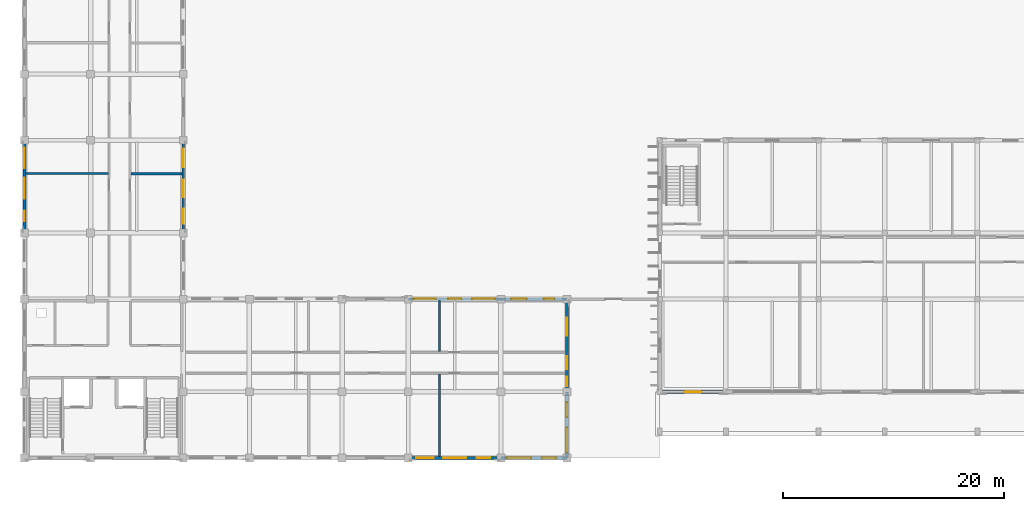
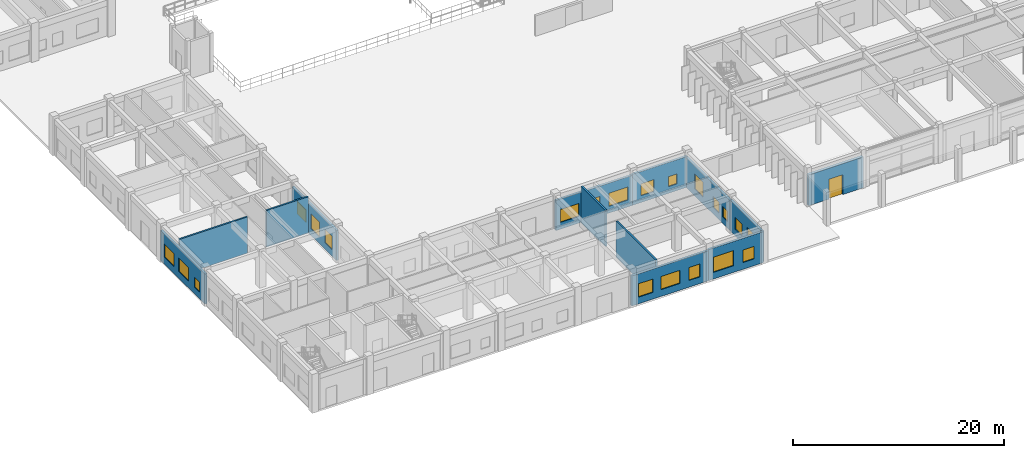
# One storey, part 28 of 67: 21 windows, 13 walls, 1 door, 22 openings.
"""IFC4 building model written with IfcOpenShell, lengths in metres."""

from ifc_helpers import new_model, si_unit, direction, frame, frame_2d, origin, place, context, subcontext, project, spatial, rectangle, extrude, material, layer, layer_set, type_object, element, fill, save


model = new_model("IFC4")

# Units and contexts
model_context = context("Model", 3, precision=1e-05, world=origin(), true_north=direction((0.0, 1.0)))
body_context = subcontext(model_context, "Body", "Model", "MODEL_VIEW")
ifc_project = project(units=[si_unit("LENGTHUNIT", "METRE"), si_unit("AREAUNIT", "SQUARE_METRE"), si_unit("VOLUMEUNIT", "CUBIC_METRE"), si_unit("PLANEANGLEUNIT", "RADIAN"), si_unit("MASSUNIT", "GRAM", prefix="KILO"), si_unit("THERMODYNAMICTEMPERATUREUNIT", "KELVIN")], contexts=[model_context])

# Site, building, storey
site_placement = place(None, origin())
site = spatial("IfcSite", under=ifc_project, at=site_placement, CompositionType="ELEMENT")
building_placement = place(site_placement, origin())
building = spatial("IfcBuilding", under=site, at=building_placement, Name="Thalorik Housing Commons", CompositionType="ELEMENT")
storey_placement = place(building_placement, origin())
storey = spatial("IfcBuildingStorey", under=building, at=storey_placement, Name="L00", CompositionType="ELEMENT", Elevation=0.0)

# Wall, openings, windows
ifc_material_1 = material(Name="White precast concrete C40/50", Category="concrete")
ifc_layer_1 = layer(ifc_material_1, 0.2451171875, Name="White precast concrete C40/50", Category="concrete")
ifc_layer_set_1 = layer_set([ifc_layer_1], Name="White precast concrete C40/50")
wall_type_1 = type_object("IfcWallType", Name="ARC-WAL-EXT-245", PredefinedType="STANDARD", material=ifc_layer_set_1)
wall_1_placement = place(storey_placement, frame((22.800048828125, 28.800048828125, 0.0), z_axis=(0.0, 0.0, 1.0), x_axis=(0.0, 1.0, 0.0)))
wall_1 = element("IfcWall", 1, at=wall_1_placement, inside=storey, type_object=wall_type_1, Name="L00 Exterior Wall WAL-EXT-L00-C-0822", PredefinedType="STANDARD", context=body_context, shape_type="SweptSolid", body=[
    extrude(rectangle(XDim=8.39990234375, YDim=0.2451171875, at=frame_2d((4.199951171875, 0.0))), origin(), (0.0, 0.0, 1.0), 3.485107421875),
])
opening_1_placement = place(wall_1_placement, frame((0.844970703125, 0.0, 0.780029296875)))
opening_1 = element("IfcOpeningElement", 2, at=opening_1_placement, cuts=wall_1, Name="Opening W-07", PredefinedType="OPENING", context=body_context, shape_type="SweptSolid", body=[
    extrude(rectangle(XDim=1.35009765625, YDim=1.550048828125, at=frame_2d((0.675048828125, 0.77490234375))), frame((0.0, 0.132568359375, 0.0), z_axis=(0.0, -1.0, 0.0), x_axis=(1.0, 0.0, 0.0)), (0.0, 0.0, 1.0), 0.26513671875),
])
opening_2_placement = place(wall_1_placement, frame((3.239990234375, 0.0, 0.780029296875)))
opening_2 = element("IfcOpeningElement", 3, at=opening_2_placement, cuts=wall_1, Name="Opening W-14", PredefinedType="OPENING", context=body_context, shape_type="SweptSolid", body=[
    extrude(rectangle(XDim=1.60009765625, YDim=1.75, at=frame_2d((0.800048828125, 0.875))), frame((0.0, 0.132568359375, 0.0), z_axis=(0.0, -1.0, 0.0), x_axis=(1.0, 0.0, 0.0)), (0.0, 0.0, 1.0), 0.26513671875),
])
opening_3_placement = place(wall_1_placement, frame((5.949951171875, 0.0, 0.780029296875)))
opening_3 = element("IfcOpeningElement", 4, at=opening_3_placement, cuts=wall_1, Name="Opening W-55", PredefinedType="OPENING", context=body_context, shape_type="SweptSolid", body=[
    extrude(rectangle(XDim=1.679931640625, YDim=1.4599609375, at=frame_2d((0.83984375, 0.72998046875))), frame((0.0, 0.132568359375, 0.0), z_axis=(0.0, -1.0, 0.0), x_axis=(1.0, 0.0, 0.0)), (0.0, 0.0, 1.0), 0.26513671875),
])
ifc_material_2 = material(Name="Anodised aluminium and solar-control low-E glass", Category="aluminium")
window_type_1 = type_object("IfcWindowType", Name="ARC-WIN-07", PartitioningType="SINGLE_PANEL", PredefinedType="WINDOW", material=ifc_material_2)
window_1_placement = place(opening_1_placement, origin())
window_1 = element("IfcWindow", 5, at=window_1_placement, inside=storey, type_object=window_type_1, Name="L00 Facade Window 1522", OverallHeight=1.550048828125, OverallWidth=1.35009765625, PartitioningType="SINGLE_PANEL", PredefinedType="WINDOW", context=body_context, shape_type="SweptSolid", body=[
    extrude(rectangle(XDim=1.35009765625, YDim=1.550048828125, at=frame_2d((0.675048828125, 0.77490234375))), frame((0.0, 0.030029296875, 0.0), z_axis=(0.0, -1.0, 0.0), x_axis=(1.0, 0.0, 0.0)), (0.0, 0.0, 1.0), 0.06005859375),
])
fill(opening_1, window_1)
window_type_2 = type_object("IfcWindowType", Name="ARC-WIN-14", PartitioningType="DOUBLE_PANEL_VERTICAL", PredefinedType="WINDOW", material=ifc_material_2)
window_2_placement = place(opening_2_placement, origin())
window_2 = element("IfcWindow", 6, at=window_2_placement, inside=storey, type_object=window_type_2, Name="L00 Facade Window 1523", OverallHeight=1.75, OverallWidth=1.60009765625, PartitioningType="DOUBLE_PANEL_VERTICAL", PredefinedType="WINDOW", context=body_context, shape_type="SweptSolid", body=[
    extrude(rectangle(XDim=1.60009765625, YDim=1.75, at=frame_2d((0.800048828125, 0.875))), frame((0.0, 0.030029296875, 0.0), z_axis=(0.0, -1.0, 0.0), x_axis=(1.0, 0.0, 0.0)), (0.0, 0.0, 1.0), 0.06005859375),
])
fill(opening_2, window_2)
window_type_3 = type_object("IfcWindowType", Name="ARC-WIN-55", PartitioningType="DOUBLE_PANEL_VERTICAL", PredefinedType="WINDOW", material=ifc_material_2)
window_3_placement = place(opening_3_placement, origin())
window_3 = element("IfcWindow", 7, at=window_3_placement, inside=storey, type_object=window_type_3, Name="L00 Facade Window 1524", OverallHeight=1.4599609375, OverallWidth=1.679931640625, PartitioningType="DOUBLE_PANEL_VERTICAL", PredefinedType="WINDOW", context=body_context, shape_type="SweptSolid", body=[
    extrude(rectangle(XDim=1.679931640625, YDim=1.4599609375, at=frame_2d((0.83984375, 0.72998046875))), frame((0.0, 0.030029296875, 0.0), z_axis=(0.0, -1.0, 0.0), x_axis=(1.0, 0.0, 0.0)), (0.0, 0.0, 1.0), 0.06005859375),
])
fill(opening_3, window_3)

wall_2_placement = place(storey_placement, frame((8.39990234375, 37.199951171875, 0.0), z_axis=(0.0, 0.0, 1.0), x_axis=(0.0, -1.0, 0.0)))
wall_2 = element("IfcWall", 8, at=wall_2_placement, inside=storey, type_object=wall_type_1, Name="L00 Exterior Wall WAL-EXT-L00-C-0831", PredefinedType="STANDARD", context=body_context, shape_type="SweptSolid", body=[
    extrude(rectangle(XDim=8.39990234375, YDim=0.2451171875, at=frame_2d((4.199951171875, 0.0))), origin(), (0.0, 0.0, 1.0), 3.485107421875),
])
opening_4_placement = place(wall_2_placement, frame((0.669921875, 0.0, 0.780029296875)))
opening_4 = element("IfcOpeningElement", 9, at=opening_4_placement, cuts=wall_2, Name="Opening W-59", PredefinedType="OPENING", context=body_context, shape_type="SweptSolid", body=[
    extrude(rectangle(XDim=1.8798828125, YDim=1.52001953125, at=frame_2d((0.93994140625, 0.760009765625))), frame((0.0, 0.132568359375, 0.0), z_axis=(0.0, -1.0, 0.0), x_axis=(1.0, 0.0, 0.0)), (0.0, 0.0, 1.0), 0.26513671875),
])
opening_5_placement = place(wall_2_placement, frame((3.409912109375, 0.0, 0.780029296875)))
opening_5 = element("IfcOpeningElement", 10, at=opening_5_placement, cuts=wall_2, Name="Opening W-21", PredefinedType="OPENING", context=body_context, shape_type="SweptSolid", body=[
    extrude(rectangle(XDim=1.89990234375, YDim=1.550048828125, at=frame_2d((0.949951171875, 0.77490234375))), frame((0.0, 0.132568359375, 0.0), z_axis=(0.0, -1.0, 0.0), x_axis=(1.0, 0.0, 0.0)), (0.0, 0.0, 1.0), 0.26513671875),
])
opening_6_placement = place(wall_2_placement, frame((6.405029296875, 0.0, 0.780029296875)))
opening_6 = element("IfcOpeningElement", 11, at=opening_6_placement, cuts=wall_2, Name="Opening W-43", PredefinedType="OPENING", context=body_context, shape_type="SweptSolid", body=[
    extrude(rectangle(XDim=0.949951171875, YDim=1.14990234375, at=frame_2d((0.47509765625, 0.574951171875))), frame((0.0, 0.132568359375, 0.0), z_axis=(0.0, -1.0, 0.0), x_axis=(1.0, 0.0, 0.0)), (0.0, 0.0, 1.0), 0.26513671875),
])
window_type_4 = type_object("IfcWindowType", Name="ARC-WIN-21", PartitioningType="DOUBLE_PANEL_VERTICAL", PredefinedType="WINDOW", material=ifc_material_2)
window_4_placement = place(opening_5_placement, origin())
window_4 = element("IfcWindow", 12, at=window_4_placement, inside=storey, type_object=window_type_4, Name="L00 Facade Window 1541", OverallHeight=1.550048828125, OverallWidth=1.89990234375, PartitioningType="DOUBLE_PANEL_VERTICAL", PredefinedType="WINDOW", context=body_context, shape_type="SweptSolid", body=[
    extrude(rectangle(XDim=1.89990234375, YDim=1.550048828125, at=frame_2d((0.949951171875, 0.77490234375))), frame((0.0, 0.030029296875, 0.0), z_axis=(0.0, -1.0, 0.0), x_axis=(1.0, 0.0, 0.0)), (0.0, 0.0, 1.0), 0.06005859375),
])
fill(opening_5, window_4)
window_type_5 = type_object("IfcWindowType", Name="ARC-WIN-43", PartitioningType="SINGLE_PANEL", PredefinedType="WINDOW", material=ifc_material_2)
window_5_placement = place(opening_6_placement, origin())
window_5 = element("IfcWindow", 13, at=window_5_placement, inside=storey, type_object=window_type_5, Name="L00 Facade Window 1542", OverallHeight=1.14990234375, OverallWidth=0.949951171875, PartitioningType="SINGLE_PANEL", PredefinedType="WINDOW", context=body_context, shape_type="SweptSolid", body=[
    extrude(rectangle(XDim=0.949951171875, YDim=1.14990234375, at=frame_2d((0.47509765625, 0.574951171875))), frame((0.0, 0.030029296875, 0.0), z_axis=(0.0, -1.0, 0.0), x_axis=(1.0, 0.0, 0.0)), (0.0, 0.0, 1.0), 0.06005859375),
])
fill(opening_6, window_5)
window_type_6 = type_object("IfcWindowType", Name="ARC-WIN-59", PartitioningType="DOUBLE_PANEL_VERTICAL", PredefinedType="WINDOW", material=ifc_material_2)
window_6_placement = place(opening_4_placement, origin())
window_6 = element("IfcWindow", 14, at=window_6_placement, inside=storey, type_object=window_type_6, Name="L00 Facade Window 1540", OverallHeight=1.52001953125, OverallWidth=1.8798828125, PartitioningType="DOUBLE_PANEL_VERTICAL", PredefinedType="WINDOW", context=body_context, shape_type="SweptSolid", body=[
    extrude(rectangle(XDim=1.8798828125, YDim=1.52001953125, at=frame_2d((0.93994140625, 0.760009765625))), frame((0.0, 0.030029296875, 0.0), z_axis=(0.0, -1.0, 0.0), x_axis=(1.0, 0.0, 0.0)), (0.0, 0.0, 1.0), 0.06005859375),
])
fill(opening_4, window_6)

wall_3_placement = place(storey_placement, frame((43.199951171875, 8.39990234375, 0.0), z_axis=(0.0, 0.0, 1.0), x_axis=(1.0, 0.0, 0.0)))
wall_3 = element("IfcWall", 15, at=wall_3_placement, inside=storey, type_object=wall_type_1, Name="L00 Exterior Wall WAL-EXT-L00-C-0840", PredefinedType="STANDARD", context=body_context, shape_type="SweptSolid", body=[
    extrude(rectangle(XDim=8.400146484375, YDim=0.2451171875, at=frame_2d((4.2001953125, 0.0))), origin(), (0.0, 0.0, 1.0), 3.485107421875),
])
opening_7_placement = place(wall_3_placement, frame((0.7099609375, 0.0, 0.780029296875)))
opening_7 = element("IfcOpeningElement", 16, at=opening_7_placement, cuts=wall_3, Name="Opening W-13", PredefinedType="OPENING", context=body_context, shape_type="SweptSolid", body=[
    extrude(rectangle(XDim=1.60009765625, YDim=1.550048828125, at=frame_2d((0.800048828125, 0.77490234375))), frame((0.0, 0.132568359375, 0.0), z_axis=(0.0, -1.0, 0.0), x_axis=(1.0, 0.0, 0.0)), (0.0, 0.0, 1.0), 0.26513671875),
])
opening_8_placement = place(wall_3_placement, frame((3.169921875, 0.0, 0.780029296875)))
opening_8 = element("IfcOpeningElement", 17, at=opening_8_placement, cuts=wall_3, Name="Opening W-63", PredefinedType="OPENING", context=body_context, shape_type="SweptSolid", body=[
    extrude(rectangle(XDim=2.080078125, YDim=1.52001953125, at=frame_2d((1.0400390625, 0.760009765625))), frame((0.0, 0.132568359375, 0.0), z_axis=(0.0, -1.0, 0.0), x_axis=(1.0, 0.0, 0.0)), (0.0, 0.0, 1.0), 0.26513671875),
])
opening_9_placement = place(wall_3_placement, frame((6.22998046875, 0.0, 0.780029296875)))
opening_9 = element("IfcOpeningElement", 18, at=opening_9_placement, cuts=wall_3, Name="Opening W-05", PredefinedType="OPENING", context=body_context, shape_type="SweptSolid", body=[
    extrude(rectangle(XDim=1.199951171875, YDim=1.5, at=frame_2d((0.60009765625, 0.75))), frame((0.0, 0.132568359375, 0.0), z_axis=(0.0, -1.0, 0.0), x_axis=(1.0, 0.0, 0.0)), (0.0, 0.0, 1.0), 0.26513671875),
])
window_type_7 = type_object("IfcWindowType", Name="ARC-WIN-05", PartitioningType="SINGLE_PANEL", PredefinedType="WINDOW", material=ifc_material_2)
window_7_placement = place(opening_9_placement, origin())
window_7 = element("IfcWindow", 19, at=window_7_placement, inside=storey, type_object=window_type_7, Name="L00 Facade Window 1556", OverallHeight=1.5, OverallWidth=1.199951171875, PartitioningType="SINGLE_PANEL", PredefinedType="WINDOW", context=body_context, shape_type="SweptSolid", body=[
    extrude(rectangle(XDim=1.199951171875, YDim=1.5, at=frame_2d((0.60009765625, 0.75))), frame((0.0, 0.030029296875, 0.0), z_axis=(0.0, -1.0, 0.0), x_axis=(1.0, 0.0, 0.0)), (0.0, 0.0, 1.0), 0.06005859375),
])
fill(opening_9, window_7)
window_type_8 = type_object("IfcWindowType", Name="ARC-WIN-13", PartitioningType="DOUBLE_PANEL_VERTICAL", PredefinedType="WINDOW", material=ifc_material_2)
window_8_placement = place(opening_7_placement, origin())
window_8 = element("IfcWindow", 20, at=window_8_placement, inside=storey, type_object=window_type_8, Name="L00 Facade Window 1554", OverallHeight=1.550048828125, OverallWidth=1.60009765625, PartitioningType="DOUBLE_PANEL_VERTICAL", PredefinedType="WINDOW", context=body_context, shape_type="SweptSolid", body=[
    extrude(rectangle(XDim=1.60009765625, YDim=1.550048828125, at=frame_2d((0.800048828125, 0.77490234375))), frame((0.0, 0.030029296875, 0.0), z_axis=(0.0, -1.0, 0.0), x_axis=(1.0, 0.0, 0.0)), (0.0, 0.0, 1.0), 0.06005859375),
])
fill(opening_7, window_8)
window_type_9 = type_object("IfcWindowType", Name="ARC-WIN-63", PartitioningType="DOUBLE_PANEL_VERTICAL", PredefinedType="WINDOW", material=ifc_material_2)
window_9_placement = place(opening_8_placement, origin())
window_9 = element("IfcWindow", 21, at=window_9_placement, inside=storey, type_object=window_type_9, Name="L00 Facade Window 1555", OverallHeight=1.52001953125, OverallWidth=2.080078125, PartitioningType="DOUBLE_PANEL_VERTICAL", PredefinedType="WINDOW", context=body_context, shape_type="SweptSolid", body=[
    extrude(rectangle(XDim=2.080078125, YDim=1.52001953125, at=frame_2d((1.0400390625, 0.760009765625))), frame((0.0, 0.030029296875, 0.0), z_axis=(0.0, -1.0, 0.0), x_axis=(1.0, 0.0, 0.0)), (0.0, 0.0, 1.0), 0.06005859375),
])
fill(opening_8, window_9)

wall_4_placement = place(storey_placement, frame((51.60009765625, 8.39990234375, 0.0), z_axis=(0.0, 0.0, 1.0), x_axis=(1.0, 0.0, 0.0)))
wall_4 = element("IfcWall", 22, at=wall_4_placement, inside=storey, type_object=wall_type_1, Name="L00 Exterior Wall WAL-EXT-L00-C-0841", PredefinedType="STANDARD", context=body_context, shape_type="SweptSolid", body=[
    extrude(rectangle(XDim=6.0, YDim=0.2451171875, at=frame_2d((3.0, 0.0))), origin(), (0.0, 0.0, 1.0), 3.5849609375),
])
opening_10_placement = place(wall_4_placement, frame((0.530029296875, 0.0, 0.780029296875)))
opening_10 = element("IfcOpeningElement", 23, at=opening_10_placement, cuts=wall_4, Name="Opening W-30", PredefinedType="OPENING", context=body_context, shape_type="SweptSolid", body=[
    extrude(rectangle(XDim=2.199951171875, YDim=1.75, at=frame_2d((1.10009765625, 0.875))), frame((0.0, 0.132568359375, 0.0), z_axis=(0.0, -1.0, 0.0), x_axis=(1.0, 0.0, 0.0)), (0.0, 0.0, 1.0), 0.26513671875),
])
opening_11_placement = place(wall_4_placement, frame((3.7451171875, 0.0, 0.780029296875)))
opening_11 = element("IfcOpeningElement", 24, at=opening_11_placement, cuts=wall_4, Name="Opening W-47", PredefinedType="OPENING", context=body_context, shape_type="SweptSolid", body=[
    extrude(rectangle(XDim=1.25, YDim=1.449951171875, at=frame_2d((0.625, 0.72509765625))), frame((0.0, 0.132568359375, 0.0), z_axis=(0.0, -1.0, 0.0), x_axis=(1.0, 0.0, 0.0)), (0.0, 0.0, 1.0), 0.26513671875),
])
window_type_10 = type_object("IfcWindowType", Name="ARC-WIN-30", PartitioningType="DOUBLE_PANEL_VERTICAL", PredefinedType="WINDOW", material=ifc_material_2)
window_10_placement = place(opening_10_placement, origin())
window_10 = element("IfcWindow", 25, at=window_10_placement, inside=storey, type_object=window_type_10, Name="L00 Facade Window 1557", OverallHeight=1.75, OverallWidth=2.199951171875, PartitioningType="DOUBLE_PANEL_VERTICAL", PredefinedType="WINDOW", context=body_context, shape_type="SweptSolid", body=[
    extrude(rectangle(XDim=2.199951171875, YDim=1.75, at=frame_2d((1.10009765625, 0.875))), frame((0.0, 0.030029296875, 0.0), z_axis=(0.0, -1.0, 0.0), x_axis=(1.0, 0.0, 0.0)), (0.0, 0.0, 1.0), 0.06005859375),
])
fill(opening_10, window_10)
window_type_11 = type_object("IfcWindowType", Name="ARC-WIN-47", PartitioningType="SINGLE_PANEL", PredefinedType="WINDOW", material=ifc_material_2)
window_11_placement = place(opening_11_placement, origin())
window_11 = element("IfcWindow", 26, at=window_11_placement, inside=storey, type_object=window_type_11, Name="L00 Facade Window 1558", OverallHeight=1.449951171875, OverallWidth=1.25, PartitioningType="SINGLE_PANEL", PredefinedType="WINDOW", context=body_context, shape_type="SweptSolid", body=[
    extrude(rectangle(XDim=1.25, YDim=1.449951171875, at=frame_2d((0.625, 0.72509765625))), frame((0.0, 0.030029296875, 0.0), z_axis=(0.0, -1.0, 0.0), x_axis=(1.0, 0.0, 0.0)), (0.0, 0.0, 1.0), 0.06005859375),
])
fill(opening_11, window_11)

wall_5_placement = place(storey_placement, frame((57.60009765625, 8.39990234375, 0.0), z_axis=(0.0, 0.0, 1.0), x_axis=(0.0, 1.0, 0.0)))
wall_5 = element("IfcWall", 27, at=wall_5_placement, inside=storey, type_object=wall_type_1, Name="L00 Exterior Wall WAL-EXT-L00-C-0842", PredefinedType="STANDARD", context=body_context, shape_type="SweptSolid", body=[
    extrude(rectangle(XDim=6.0, YDim=0.2451171875, at=frame_2d((3.0, 0.0))), origin(), (0.0, 0.0, 1.0), 3.5849609375),
])
opening_12_placement = place(wall_5_placement, frame((0.5048828125, 0.0, 0.780029296875)))
opening_12 = element("IfcOpeningElement", 28, at=opening_12_placement, cuts=wall_5, Name="Opening W-31", PredefinedType="OPENING", context=body_context, shape_type="SweptSolid", body=[
    extrude(rectangle(XDim=2.25, YDim=1.60009765625, at=frame_2d((1.125, 0.800048828125))), frame((0.0, 0.132568359375, 0.0), z_axis=(0.0, -1.0, 0.0), x_axis=(1.0, 0.0, 0.0)), (0.0, 0.0, 1.0), 0.26513671875),
])
opening_13_placement = place(wall_5_placement, frame((3.7099609375, 0.0, 0.780029296875)))
opening_13 = element("IfcOpeningElement", 29, at=opening_13_placement, cuts=wall_5, Name="Opening W-48", PredefinedType="OPENING", context=body_context, shape_type="SweptSolid", body=[
    extrude(rectangle(XDim=1.320068359375, YDim=1.35009765625, at=frame_2d((0.66015625, 0.675048828125))), frame((0.0, 0.132568359375, 0.0), z_axis=(0.0, -1.0, 0.0), x_axis=(1.0, 0.0, 0.0)), (0.0, 0.0, 1.0), 0.26513671875),
])
window_type_12 = type_object("IfcWindowType", Name="ARC-WIN-31", PartitioningType="DOUBLE_PANEL_VERTICAL", PredefinedType="WINDOW", material=ifc_material_2)
window_12_placement = place(opening_12_placement, origin())
window_12 = element("IfcWindow", 30, at=window_12_placement, inside=storey, type_object=window_type_12, Name="L00 Facade Window 1559", OverallHeight=1.60009765625, OverallWidth=2.25, PartitioningType="DOUBLE_PANEL_VERTICAL", PredefinedType="WINDOW", context=body_context, shape_type="SweptSolid", body=[
    extrude(rectangle(XDim=2.25, YDim=1.60009765625, at=frame_2d((1.125, 0.800048828125))), frame((0.0, 0.030029296875, 0.0), z_axis=(0.0, -1.0, 0.0), x_axis=(1.0, 0.0, 0.0)), (0.0, 0.0, 1.0), 0.06005859375),
])
fill(opening_12, window_12)
window_type_13 = type_object("IfcWindowType", Name="ARC-WIN-48", PartitioningType="SINGLE_PANEL", PredefinedType="WINDOW", material=ifc_material_2)
window_13_placement = place(opening_13_placement, origin())
window_13 = element("IfcWindow", 31, at=window_13_placement, inside=storey, type_object=window_type_13, Name="L00 Facade Window 1560", OverallHeight=1.35009765625, OverallWidth=1.320068359375, PartitioningType="SINGLE_PANEL", PredefinedType="WINDOW", context=body_context, shape_type="SweptSolid", body=[
    extrude(rectangle(XDim=1.320068359375, YDim=1.35009765625, at=frame_2d((0.66015625, 0.675048828125))), frame((0.0, 0.030029296875, 0.0), z_axis=(0.0, -1.0, 0.0), x_axis=(1.0, 0.0, 0.0)), (0.0, 0.0, 1.0), 0.06005859375),
])
fill(opening_13, window_13)

wall_6_placement = place(storey_placement, frame((57.60009765625, 14.39990234375, 0.0), z_axis=(0.0, 0.0, 1.0), x_axis=(0.0, 1.0, 0.0)))
wall_6 = element("IfcWall", 32, at=wall_6_placement, inside=storey, type_object=wall_type_1, Name="L00 Exterior Wall WAL-EXT-L00-C-0843", PredefinedType="STANDARD", context=body_context, shape_type="SweptSolid", body=[
    extrude(rectangle(XDim=8.400146484375, YDim=0.2451171875, at=frame_2d((4.2001953125, 0.0))), origin(), (0.0, 0.0, 1.0), 3.485107421875),
])
opening_14_placement = place(wall_6_placement, frame((0.485107421875, 0.0, 0.780029296875)))
opening_14 = element("IfcOpeningElement", 33, at=opening_14_placement, cuts=wall_6, Name="Opening W-01", PredefinedType="OPENING", context=body_context, shape_type="SweptSolid", body=[
    extrude(rectangle(XDim=0.89990234375, YDim=1.199951171875, at=frame_2d((0.449951171875, 0.60009765625))), frame((0.0, 0.132568359375, 0.0), z_axis=(0.0, -1.0, 0.0), x_axis=(1.0, 0.0, 0.0)), (0.0, 0.0, 1.0), 0.26513671875),
])
opening_15_placement = place(wall_6_placement, frame((2.054931640625, 0.0, 0.780029296875)))
opening_15 = element("IfcOpeningElement", 34, at=opening_15_placement, cuts=wall_6, Name="Opening W-45", PredefinedType="OPENING", context=body_context, shape_type="SweptSolid", body=[
    extrude(rectangle(XDim=1.14990234375, YDim=1.25, at=frame_2d((0.574951171875, 0.625))), frame((0.0, 0.132568359375, 0.0), z_axis=(0.0, -1.0, 0.0), x_axis=(1.0, 0.0, 0.0)), (0.0, 0.0, 1.0), 0.26513671875),
])
opening_16_placement = place(wall_6_placement, frame((5.094970703125, 0.0, 0.780029296875)))
opening_16 = element("IfcOpeningElement", 35, at=opening_16_placement, cuts=wall_6, Name="Opening W-14", PredefinedType="OPENING", context=body_context, shape_type="SweptSolid", body=[
    extrude(rectangle(XDim=1.60009765625, YDim=1.75, at=frame_2d((0.800048828125, 0.875))), frame((0.0, 0.132568359375, 0.0), z_axis=(0.0, -1.0, 0.0), x_axis=(1.0, 0.0, 0.0)), (0.0, 0.0, 1.0), 0.26513671875),
])
window_type_14 = type_object("IfcWindowType", Name="ARC-WIN-01", PartitioningType="SINGLE_PANEL", PredefinedType="WINDOW", material=ifc_material_2)
window_14_placement = place(opening_14_placement, origin())
window_14 = element("IfcWindow", 36, at=window_14_placement, inside=storey, type_object=window_type_14, Name="L00 Facade Window 1561", OverallHeight=1.199951171875, OverallWidth=0.89990234375, PartitioningType="SINGLE_PANEL", PredefinedType="WINDOW", context=body_context, shape_type="SweptSolid", body=[
    extrude(rectangle(XDim=0.89990234375, YDim=1.199951171875, at=frame_2d((0.449951171875, 0.60009765625))), frame((0.0, 0.030029296875, 0.0), z_axis=(0.0, -1.0, 0.0), x_axis=(1.0, 0.0, 0.0)), (0.0, 0.0, 1.0), 0.06005859375),
])
fill(opening_14, window_14)
window_15_placement = place(opening_16_placement, origin())
window_15 = element("IfcWindow", 37, at=window_15_placement, inside=storey, type_object=window_type_2, Name="L00 Facade Window 1563", OverallHeight=1.75, OverallWidth=1.60009765625, PartitioningType="DOUBLE_PANEL_VERTICAL", PredefinedType="WINDOW", context=body_context, shape_type="SweptSolid", body=[
    extrude(rectangle(XDim=1.60009765625, YDim=1.75, at=frame_2d((0.800048828125, 0.875))), frame((0.0, 0.030029296875, 0.0), z_axis=(0.0, -1.0, 0.0), x_axis=(1.0, 0.0, 0.0)), (0.0, 0.0, 1.0), 0.06005859375),
])
fill(opening_16, window_15)
window_type_15 = type_object("IfcWindowType", Name="ARC-WIN-45", PartitioningType="SINGLE_PANEL", PredefinedType="WINDOW", material=ifc_material_2)
window_16_placement = place(opening_15_placement, origin())
window_16 = element("IfcWindow", 38, at=window_16_placement, inside=storey, type_object=window_type_15, Name="L00 Facade Window 1562", OverallHeight=1.25, OverallWidth=1.14990234375, PartitioningType="SINGLE_PANEL", PredefinedType="WINDOW", context=body_context, shape_type="SweptSolid", body=[
    extrude(rectangle(XDim=1.14990234375, YDim=1.25, at=frame_2d((0.574951171875, 0.625))), frame((0.0, 0.030029296875, 0.0), z_axis=(0.0, -1.0, 0.0), x_axis=(1.0, 0.0, 0.0)), (0.0, 0.0, 1.0), 0.06005859375),
])
fill(opening_15, window_16)

wall_7_placement = place(storey_placement, frame((57.60009765625, 22.800048828125, 0.0), z_axis=(0.0, 0.0, 1.0), x_axis=(-1.0, 0.0, 0.0)))
wall_7 = element("IfcWall", 39, at=wall_7_placement, inside=storey, type_object=wall_type_1, Name="L00 Exterior Wall WAL-EXT-L00-C-0844", PredefinedType="STANDARD", context=body_context, shape_type="SweptSolid", body=[
    extrude(rectangle(XDim=6.0, YDim=0.2451171875, at=frame_2d((3.0, 0.0))), origin(), (0.0, 0.0, 1.0), 3.5849609375),
])
opening_17_placement = place(wall_7_placement, frame((1.155029296875, 0.0, 0.780029296875)))
opening_17 = element("IfcOpeningElement", 40, at=opening_17_placement, cuts=wall_7, Name="Opening W-43", PredefinedType="OPENING", context=body_context, shape_type="SweptSolid", body=[
    extrude(rectangle(XDim=0.949951171875, YDim=1.14990234375, at=frame_2d((0.47509765625, 0.574951171875))), frame((0.0, 0.132568359375, 0.0), z_axis=(0.0, -1.0, 0.0), x_axis=(1.0, 0.0, 0.0)), (0.0, 0.0, 1.0), 0.26513671875),
])
opening_18_placement = place(wall_7_placement, frame((3.659912109375, 0.0, 0.780029296875)))
opening_18 = element("IfcOpeningElement", 41, at=opening_18_placement, cuts=wall_7, Name="Opening W-50", PredefinedType="OPENING", context=body_context, shape_type="SweptSolid", body=[
    extrude(rectangle(XDim=1.419921875, YDim=1.3798828125, at=frame_2d((0.7099609375, 0.68994140625))), frame((0.0, 0.132568359375, 0.0), z_axis=(0.0, -1.0, 0.0), x_axis=(1.0, 0.0, 0.0)), (0.0, 0.0, 1.0), 0.26513671875),
])
window_17_placement = place(opening_17_placement, origin())
window_17 = element("IfcWindow", 42, at=window_17_placement, inside=storey, type_object=window_type_5, Name="L00 Facade Window 1564", OverallHeight=1.14990234375, OverallWidth=0.949951171875, PartitioningType="SINGLE_PANEL", PredefinedType="WINDOW", context=body_context, shape_type="SweptSolid", body=[
    extrude(rectangle(XDim=0.949951171875, YDim=1.14990234375, at=frame_2d((0.47509765625, 0.574951171875))), frame((0.0, 0.030029296875, 0.0), z_axis=(0.0, -1.0, 0.0), x_axis=(1.0, 0.0, 0.0)), (0.0, 0.0, 1.0), 0.06005859375),
])
fill(opening_17, window_17)
window_type_16 = type_object("IfcWindowType", Name="ARC-WIN-50", PartitioningType="SINGLE_PANEL", PredefinedType="WINDOW", material=ifc_material_2)
window_18_placement = place(opening_18_placement, origin())
window_18 = element("IfcWindow", 43, at=window_18_placement, inside=storey, type_object=window_type_16, Name="L00 Facade Window 1565", OverallHeight=1.3798828125, OverallWidth=1.419921875, PartitioningType="SINGLE_PANEL", PredefinedType="WINDOW", context=body_context, shape_type="SweptSolid", body=[
    extrude(rectangle(XDim=1.419921875, YDim=1.3798828125, at=frame_2d((0.7099609375, 0.68994140625))), frame((0.0, 0.030029296875, 0.0), z_axis=(0.0, -1.0, 0.0), x_axis=(1.0, 0.0, 0.0)), (0.0, 0.0, 1.0), 0.06005859375),
])
fill(opening_18, window_18)

wall_8_placement = place(storey_placement, frame((51.60009765625, 22.800048828125, 0.0), z_axis=(0.0, 0.0, 1.0), x_axis=(-1.0, 0.0, 0.0)))
wall_8 = element("IfcWall", 44, at=wall_8_placement, inside=storey, type_object=wall_type_1, Name="L00 Exterior Wall WAL-EXT-L00-C-0845", PredefinedType="STANDARD", context=body_context, shape_type="SweptSolid", body=[
    extrude(rectangle(XDim=8.400146484375, YDim=0.2451171875, at=frame_2d((4.2001953125, 0.0))), origin(), (0.0, 0.0, 1.0), 3.485107421875),
])
opening_19_placement = place(wall_8_placement, frame((0.530029296875, 0.0, 0.780029296875)))
opening_19 = element("IfcOpeningElement", 45, at=opening_19_placement, cuts=wall_8, Name="Opening W-63", PredefinedType="OPENING", context=body_context, shape_type="SweptSolid", body=[
    extrude(rectangle(XDim=2.080078125, YDim=1.52001953125, at=frame_2d((1.0400390625, 0.760009765625))), frame((0.0, 0.132568359375, 0.0), z_axis=(0.0, -1.0, 0.0), x_axis=(1.0, 0.0, 0.0)), (0.0, 0.0, 1.0), 0.26513671875),
])
opening_20_placement = place(wall_8_placement, frame((3.590087890625, 0.0, 0.780029296875)))
opening_20 = element("IfcOpeningElement", 46, at=opening_20_placement, cuts=wall_8, Name="Opening W-05", PredefinedType="OPENING", context=body_context, shape_type="SweptSolid", body=[
    extrude(rectangle(XDim=1.199951171875, YDim=1.5, at=frame_2d((0.60009765625, 0.75))), frame((0.0, 0.132568359375, 0.0), z_axis=(0.0, -1.0, 0.0), x_axis=(1.0, 0.0, 0.0)), (0.0, 0.0, 1.0), 0.26513671875),
])
opening_21_placement = place(wall_8_placement, frame((5.889892578125, 0.0, 0.780029296875)))
opening_21 = element("IfcOpeningElement", 47, at=opening_21_placement, cuts=wall_8, Name="Opening W-23", PredefinedType="OPENING", context=body_context, shape_type="SweptSolid", body=[
    extrude(rectangle(XDim=2.0, YDim=1.5, at=frame_2d((1.0, 0.75))), frame((0.0, 0.132568359375, 0.0), z_axis=(0.0, -1.0, 0.0), x_axis=(1.0, 0.0, 0.0)), (0.0, 0.0, 1.0), 0.26513671875),
])
window_19_placement = place(opening_20_placement, origin())
window_19 = element("IfcWindow", 48, at=window_19_placement, inside=storey, type_object=window_type_7, Name="L00 Facade Window 1567", OverallHeight=1.5, OverallWidth=1.199951171875, PartitioningType="SINGLE_PANEL", PredefinedType="WINDOW", context=body_context, shape_type="SweptSolid", body=[
    extrude(rectangle(XDim=1.199951171875, YDim=1.5, at=frame_2d((0.60009765625, 0.75))), frame((0.0, 0.030029296875, 0.0), z_axis=(0.0, -1.0, 0.0), x_axis=(1.0, 0.0, 0.0)), (0.0, 0.0, 1.0), 0.06005859375),
])
fill(opening_20, window_19)
window_type_17 = type_object("IfcWindowType", Name="ARC-WIN-23", PartitioningType="DOUBLE_PANEL_VERTICAL", PredefinedType="WINDOW", material=ifc_material_2)
window_20_placement = place(opening_21_placement, origin())
window_20 = element("IfcWindow", 49, at=window_20_placement, inside=storey, type_object=window_type_17, Name="L00 Facade Window 1568", OverallHeight=1.5, OverallWidth=2.0, PartitioningType="DOUBLE_PANEL_VERTICAL", PredefinedType="WINDOW", context=body_context, shape_type="SweptSolid", body=[
    extrude(rectangle(XDim=2.0, YDim=1.5, at=frame_2d((1.0, 0.75))), frame((0.0, 0.030029296875, 0.0), z_axis=(0.0, -1.0, 0.0), x_axis=(1.0, 0.0, 0.0)), (0.0, 0.0, 1.0), 0.06005859375),
])
fill(opening_21, window_20)
window_21_placement = place(opening_19_placement, origin())
window_21 = element("IfcWindow", 50, at=window_21_placement, inside=storey, type_object=window_type_9, Name="L00 Facade Window 1566", OverallHeight=1.52001953125, OverallWidth=2.080078125, PartitioningType="DOUBLE_PANEL_VERTICAL", PredefinedType="WINDOW", context=body_context, shape_type="SweptSolid", body=[
    extrude(rectangle(XDim=2.080078125, YDim=1.52001953125, at=frame_2d((1.0400390625, 0.760009765625))), frame((0.0, 0.030029296875, 0.0), z_axis=(0.0, -1.0, 0.0), x_axis=(1.0, 0.0, 0.0)), (0.0, 0.0, 1.0), 0.06005859375),
])
fill(opening_19, window_21)

# Wall, opening, door
ifc_layer_2 = layer(ifc_material_1, 0.304931640625, Name="White precast concrete C40/50", Category="concrete")
ifc_layer_set_2 = layer_set([ifc_layer_2], Name="White precast concrete C40/50")
wall_type_2 = type_object("IfcWallType", Name="ARC-WAL-EXT-305", PredefinedType="STANDARD", material=ifc_layer_set_2)
wall_9_placement = place(storey_placement, frame((66.0, 14.39990234375, 0.0), z_axis=(0.0, 0.0, 1.0), x_axis=(1.0, 0.0, 0.0)))
wall_9 = element("IfcWall", 51, at=wall_9_placement, inside=storey, type_object=wall_type_2, Name="L00 Exterior Wall WAL-SHOP-L00-1359", PredefinedType="STANDARD", context=body_context, shape_type="SweptSolid", body=[
    extrude(rectangle(XDim=6.0, YDim=0.304931640625, at=frame_2d((3.0, 0.0))), origin(), (0.0, 0.0, 1.0), 3.5849609375),
])
opening_22_placement = place(wall_9_placement, frame((2.25, 0.0, 0.0)))
opening_22 = element("IfcOpeningElement", 52, at=opening_22_placement, cuts=wall_9, Name="Opening ED-0445", PredefinedType="OPENING", context=body_context, shape_type="SweptSolid", body=[
    extrude(rectangle(XDim=1.5, YDim=2.300048828125, at=frame_2d((0.75, 1.14990234375))), frame((0.0, 0.16259765625, 0.0), z_axis=(0.0, -1.0, 0.0), x_axis=(1.0, 0.0, 0.0)), (0.0, 0.0, 1.0), 0.324951171875),
])
ifc_material_3 = material(Name="Anodised aluminium and laminated safety glass", Category="aluminium")
door_type = type_object("IfcDoorType", Name="ARC-DR-EXT-SHOP-1500", OperationType="NOTDEFINED", PredefinedType="DOOR", material=ifc_material_3)
door_placement = place(opening_22_placement, frame((1.5, 0.0, 0.0), z_axis=(0.0, 0.0, 1.0), x_axis=(-1.0, 0.0, 0.0)))
door = element("IfcDoor", 53, at=door_placement, inside=storey, type_object=door_type, Name="L00 Colonnade Shopfront Entrance 1", OperationType="SINGLE_SWING_RIGHT", OverallHeight=2.300048828125, OverallWidth=1.5, PredefinedType="DOOR", context=body_context, shape_type="SweptSolid", body=[
    extrude(rectangle(XDim=1.5, YDim=2.300048828125, at=frame_2d((0.75, 1.14990234375))), frame((0.0, 0.02490234375, 0.0), z_axis=(0.0, -1.0, 0.0), x_axis=(1.0, 0.0, 0.0)), (0.0, 0.0, 1.0), 0.050048828125),
])
fill(opening_22, door)

# Walls
ifc_material_4 = material(Name="Masonry acoustic blockwork wall", Category="masonry")
ifc_layer_3 = layer(ifc_material_4, 0.18505859375, Name="Masonry acoustic blockwork wall", Category="masonry")
ifc_layer_set_3 = layer_set([ifc_layer_3], Name="Masonry acoustic blockwork wall")
wall_type_3 = type_object("IfcWallType", Name="ARC-WAL-PARTY-185", PredefinedType="PARTITIONING", material=ifc_layer_set_3)
wall_10_placement = place(storey_placement, frame((8.5244140625, 34.169921875, 0.0), z_axis=(0.0, 0.0, 1.0), x_axis=(1.0, 0.0, 0.0)))
element("IfcWall", 54, at=wall_10_placement, inside=storey, type_object=wall_type_3, Name="L00 Inter-Tenancy Wall 1A", PredefinedType="PARTITIONING", context=body_context, shape_type="SweptSolid", body=[
    extrude(rectangle(XDim=7.478515625, YDim=0.18505859375, at=frame_2d((3.7392578125, 0.0))), origin(), (0.0, 0.0, 1.0), 4.199951171875),
])
ifc_material_5 = material(Name="Precast concrete C40/50 acoustic wall", Category="concrete")
ifc_layer_4 = layer(ifc_material_5, 0.199951171875, Name="Precast concrete C40/50 acoustic wall", Category="concrete")
ifc_layer_set_4 = layer_set([ifc_layer_4], Name="Precast concrete C40/50 acoustic wall")
wall_type_4 = type_object("IfcWallType", Name="ARC-WAL-PARTY-200", PredefinedType="PARTITIONING", material=ifc_layer_set_4)
wall_11_placement = place(storey_placement, frame((18.064453125, 34.169921875, 0.0), z_axis=(0.0, 0.0, 1.0), x_axis=(1.0, 0.0, 0.0)))
element("IfcWall", 55, at=wall_11_placement, inside=storey, type_object=wall_type_4, Name="L00 Inter-Tenancy Wall 1B", PredefinedType="PARTITIONING", context=body_context, shape_type="SweptSolid", body=[
    extrude(rectangle(XDim=4.611083984375, YDim=0.199951171875, at=frame_2d((2.3056640625, 0.0))), origin(), (0.0, 0.0, 1.0), 4.199951171875),
])
wall_12_placement = place(storey_placement, frame((46.030029296875, 8.5244140625, 0.0), z_axis=(0.0, 0.0, 1.0), x_axis=(0.0, 1.0, 0.0)))
element("IfcWall", 56, at=wall_12_placement, inside=storey, type_object=wall_type_4, Name="L00 Inter-Tenancy Wall 2A", PredefinedType="PARTITIONING", context=body_context, shape_type="SweptSolid", body=[
    extrude(rectangle(XDim=7.478515625, YDim=0.199951171875, at=frame_2d((3.7392578125, 0.0))), origin(), (0.0, 0.0, 1.0), 4.199951171875),
])
ifc_layer_5 = layer(ifc_material_5, 0.219970703125, Name="Precast concrete C40/50 acoustic wall", Category="concrete")
ifc_layer_set_5 = layer_set([ifc_layer_5], Name="Precast concrete C40/50 acoustic wall")
wall_type_5 = type_object("IfcWallType", Name="ARC-WAL-PARTY-220", PredefinedType="PARTITIONING", material=ifc_layer_set_5)
wall_13_placement = place(storey_placement, frame((46.030029296875, 18.064453125, 0.0), z_axis=(0.0, 0.0, 1.0), x_axis=(0.0, 1.0, 0.0)))
element("IfcWall", 57, at=wall_13_placement, inside=storey, type_object=wall_type_5, Name="L00 Inter-Tenancy Wall 2B", PredefinedType="PARTITIONING", context=body_context, shape_type="SweptSolid", body=[
    extrude(rectangle(XDim=4.611083984375, YDim=0.219970703125, at=frame_2d((2.3056640625, 0.0))), origin(), (0.0, 0.0, 1.0), 4.199951171875),
])

save(model, "model.ifc")
